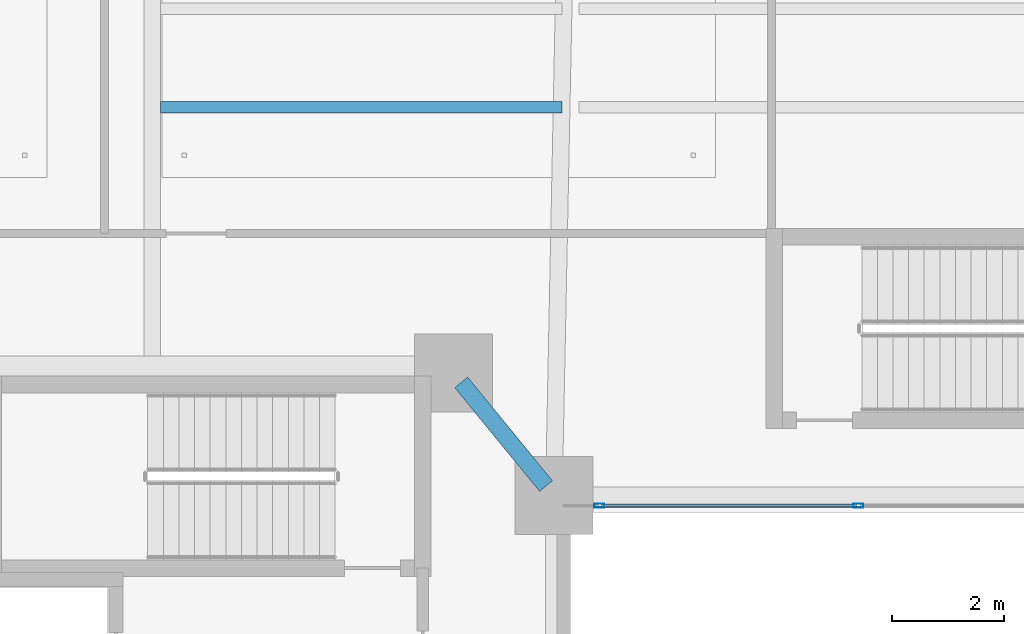
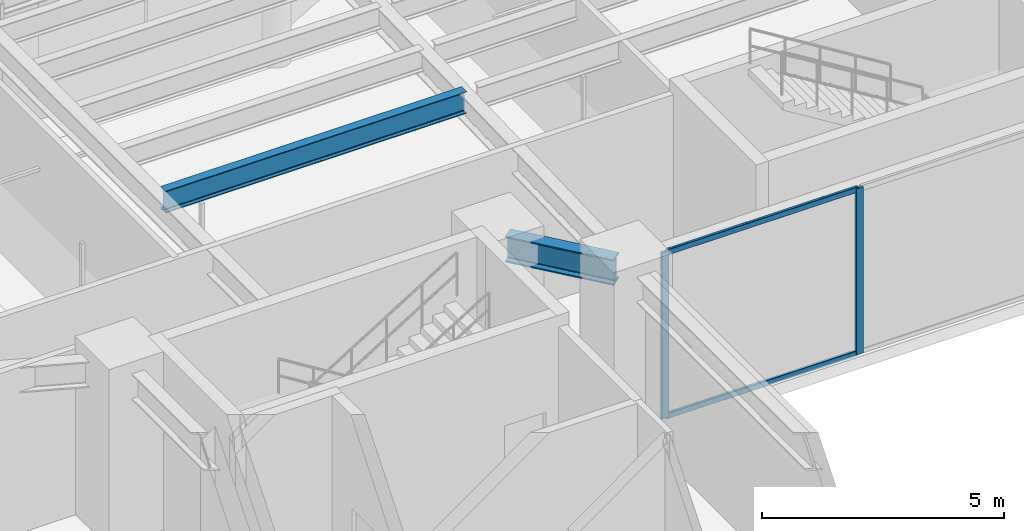
# One storey, part 20 of 40: 4 members, 2 beams, 1 element without a shape of its own.
"""IFC4 building model written with IfcOpenShell, lengths in metres."""

import ifcopenshell
import ifcopenshell.guid

model = None  # the IFC model being written
_history = None  # IfcOwnerHistory: only IFC2X3 demands one
_inside = {}  # id of a spatial element -> (the spatial element, [elements in it])
_under = {}  # id of a project, library or spatial element -> (it, [spatial elements below it])
_declared = {}  # id of a project -> (the project, [libraries it declares])
_typed = {}  # id of a type object -> (the type object, [elements of that type])
_made_of = {}  # id of a material, layer set ... -> (it, [elements and type objects made of it])


def new_model(schema):
    """Start an empty IFC model of exactly this schema.

    Asked for "IFC4X3", IfcOpenShell would pick the latest addendum, in which some entities
    have other attributes; the version numbers below select the first issue.
    IFC2X3 requires an IfcOwnerHistory on every rooted entity: one is made here for all.
    """
    global model, _history
    if schema == "IFC4X3":
        model = ifcopenshell.file(schema_version=(4, 3, 0, 0))
    else:
        model = ifcopenshell.file(schema=schema)
    _inside.clear()
    _under.clear()
    _declared.clear()
    _typed.clear()
    _made_of.clear()
    _history = None
    if model.schema == "IFC2X3":
        org = make("IfcOrganization", Name="unknown")
        user = make(
            "IfcPersonAndOrganization",
            ThePerson=make("IfcPerson", FamilyName="unknown"),
            TheOrganization=org,
        )
        app = make(
            "IfcApplication",
            ApplicationDeveloper=org,
            Version="unknown",
            ApplicationFullName="unknown",
            ApplicationIdentifier="unknown",
        )
        _history = make(
            "IfcOwnerHistory",
            OwningUser=user,
            OwningApplication=app,
            ChangeAction="ADDED",
            CreationDate=0,
        )
    return model


def make(cls, **values):
    """One entity of the class cls with the attributes given. An attribute that is None is left unset."""
    return model.create_entity(
        cls, **{name: value for name, value in values.items() if value is not None}
    )


def rooted(cls, **values):
    """An entity with a GlobalId (a new one), such as an element, a storey or a relation."""
    return make(cls, GlobalId=ifcopenshell.guid.new(), OwnerHistory=_history, **values)


def si_unit(unit_type, name, prefix=None):
    """IfcSIUnit, for example si_unit("LENGTHUNIT", "METRE", prefix="MILLI")."""
    return make("IfcSIUnit", UnitType=unit_type, Prefix=prefix, Name=name)


def assignment(units):
    """IfcUnitAssignment: the units of a project."""
    return None if units is None else make("IfcUnitAssignment", Units=units)


def point(xyz):
    """IfcCartesianPoint."""
    return None if xyz is None else make("IfcCartesianPoint", Coordinates=xyz)


def direction(xyz):
    """IfcDirection."""
    return None if xyz is None else make("IfcDirection", DirectionRatios=xyz)


def frame(location, z_axis=None, x_axis=None):
    """IfcAxis2Placement3D, a coordinate frame: its origin and axes. An axis left out is left unset."""
    return make(
        "IfcAxis2Placement3D",
        Location=point(location),
        Axis=direction(z_axis),
        RefDirection=direction(x_axis),
    )


def frame_2d(location, x_axis=None):
    """IfcAxis2Placement2D, a coordinate frame in the plane: its origin and x axis."""
    return make(
        "IfcAxis2Placement2D", Location=point(location), RefDirection=direction(x_axis)
    )


def origin():
    """The frame at (0, 0, 0) with its axes left unset."""
    return frame((0.0, 0.0, 0.0))


def origin_2d():
    """The frame at (0, 0) in the plane with its x axis left unset."""
    return frame_2d((0.0, 0.0))


def place(relative_to, where):
    """IfcLocalPlacement: puts the frame where relative to a parent placement (None: the world)."""
    return make(
        "IfcLocalPlacement", PlacementRelTo=relative_to, RelativePlacement=where
    )


def context(
    kind, dimensions, precision=None, world=None, true_north=None, identifier=None
):
    """IfcGeometricRepresentationContext, for example the 3D "Model" context."""
    return make(
        "IfcGeometricRepresentationContext",
        ContextIdentifier=identifier,
        ContextType=kind,
        CoordinateSpaceDimension=dimensions,
        Precision=precision,
        WorldCoordinateSystem=world,
        TrueNorth=true_north,
    )


def subcontext(parent, identifier, kind, view, scale=None):
    """IfcGeometricRepresentationSubContext, for example "Body" below "Model"."""
    return make(
        "IfcGeometricRepresentationSubContext",
        ContextIdentifier=identifier,
        ContextType=kind,
        ParentContext=parent,
        TargetScale=scale,
        TargetView=view,
    )


def project(units=None, contexts=None):
    """IfcProject with its units and contexts."""
    return rooted(
        "IfcProject",
        Name="project",
        RepresentationContexts=contexts,
        UnitsInContext=assignment(units),
    )


def spatial(cls, under=None, at=None, **own):
    """A site, building, storey or space (cls), placed at a placement, below another one or the project."""
    s = rooted(cls, ObjectPlacement=at, **own)
    if under is not None:
        _under.setdefault(under.id(), (under, []))[1].append(s)
    return s


def profile(cls, at=None, kind="AREA", **sizes):
    """A parametric profile (cls). Its sizes go by their IFC names, for example OverallWidth=200.0."""
    return make(cls, ProfileType=kind, Position=at, **sizes)


def hollow_rectangle(**sizes):
    """IfcRectangleHollowProfileDef."""
    return profile("IfcRectangleHollowProfileDef", **sizes)


def i_section(**sizes):
    """IfcIShapeProfileDef."""
    return profile("IfcIShapeProfileDef", **sizes)


def extrude(swept, where, along, depth):
    """IfcExtrudedAreaSolid: the profile swept, set in the frame where, extruded along a direction by depth."""
    return make(
        "IfcExtrudedAreaSolid",
        SweptArea=swept,
        Position=where,
        ExtrudedDirection=direction(along),
        Depth=depth,
    )


def shape(context_of_items, identifier, shape_type, items):
    """IfcShapeRepresentation: the items that make up one representation, for example the "Body"."""
    return make(
        "IfcShapeRepresentation",
        ContextOfItems=context_of_items,
        RepresentationIdentifier=identifier,
        RepresentationType=shape_type,
        Items=items,
    )


def material(Name=None, Category=None):
    """IfcMaterial."""
    return make("IfcMaterial", Name=Name, Category=Category)


def layer(
    of_material, thickness, ventilated=None, Name=None, Category=None, Priority=None
):
    """IfcMaterialLayer: one layer of a wall or slab, of a material (None: an air gap)."""
    return make(
        "IfcMaterialLayer",
        Material=of_material,
        LayerThickness=thickness,
        IsVentilated=ventilated,
        Name=Name,
        Category=Category,
        Priority=Priority,
    )


def layer_set(layers, Name=None):
    """IfcMaterialLayerSet."""
    return make("IfcMaterialLayerSet", MaterialLayers=layers, LayerSetName=Name)


def material_profile(
    of_material, cross_section, Name=None, Category=None, Priority=None
):
    """IfcMaterialProfile: a cross section and its material."""
    return make(
        "IfcMaterialProfile",
        Name=Name,
        Material=of_material,
        Profile=cross_section,
        Priority=Priority,
        Category=Category,
    )


def profile_set(profiles, Name=None, composite=None):
    """IfcMaterialProfileSet."""
    return make(
        "IfcMaterialProfileSet",
        Name=Name,
        MaterialProfiles=profiles,
        CompositeProfile=composite,
    )


def made_of(thing, what):
    """Note that an element or type object is made of a material, layer set ...; save() writes the relation."""
    if what is not None:
        _made_of.setdefault(what.id(), (what, []))[1].append(thing)
    return thing


def type_object(cls, material=None, **own):
    """A type object (cls), such as IfcWallType, which elements share."""
    return made_of(rooted(cls, **own), material)


def element(
    cls,
    number,
    at=None,
    inside=None,
    cuts=None,
    type_object=None,
    material=None,
    context=None,
    identifier="Body",
    shape_type=None,
    held_by="IfcProductDefinitionShape",
    body=None,
    shapes=None,
    **own,
):
    """One element of the class cls, such as IfcWall. Its Tag is "e" and its number.

    at: its placement. inside: the storey or other place that contains it. cuts: it is an
    opening in that element (IfcRelVoidsElement). A single representation is given by context,
    identifier, shape_type and body (its items); several are given by shapes. held_by: the class
    of the entity that holds the representations. save() writes the other relations.
    """
    e = rooted(cls, Tag="e%d" % number, ObjectPlacement=at, **own)
    if body is not None:
        shapes = [shape(context, identifier, shape_type, body)]
    if shapes is not None:
        e.Representation = make(held_by, Representations=shapes)
    if inside is not None:
        _inside.setdefault(inside.id(), (inside, []))[1].append(e)
    if cuts is not None:
        rooted(
            "IfcRelVoidsElement", RelatingBuildingElement=cuts, RelatedOpeningElement=e
        )
    if type_object is not None:
        _typed.setdefault(type_object.id(), (type_object, []))[1].append(e)
    return made_of(e, material)


def aggregate(whole, parts):
    """IfcRelAggregates: a whole, such as a stair, and the parts it consists of."""
    return rooted("IfcRelAggregates", RelatingObject=whole, RelatedObjects=parts)


def save(model, path):
    """Write the relations noted so far, then the file.

    IfcRelAggregates (storeys below a building ...), IfcRelContainedInSpatialStructure (elements
    in a storey), IfcRelDefinesByType, IfcRelAssociatesMaterial and IfcRelDeclares: one each for
    every whole, place, type object, material and project.
    """
    for whole, parts in _under.values():
        aggregate(whole, parts)
    for where, things in _inside.values():
        rooted(
            "IfcRelContainedInSpatialStructure",
            RelatedElements=things,
            RelatingStructure=where,
        )
    for kind, things in _typed.values():
        rooted("IfcRelDefinesByType", RelatedObjects=things, RelatingType=kind)
    for what, things in _made_of.values():
        rooted("IfcRelAssociatesMaterial", RelatedObjects=things, RelatingMaterial=what)
    for by, libraries in _declared.values():
        rooted("IfcRelDeclares", RelatingContext=by, RelatedDefinitions=libraries)
    model.write(path)


model = new_model("IFC4")

# Units and contexts
model_context = context("Model", 3, precision=1e-05, world=origin(), true_north=direction((0.0, 1.0)))
body_context = subcontext(model_context, "Body", "Model", "MODEL_VIEW")
ifc_project = project(units=[si_unit("LENGTHUNIT", "METRE"), si_unit("AREAUNIT", "SQUARE_METRE"), si_unit("VOLUMEUNIT", "CUBIC_METRE"), si_unit("PLANEANGLEUNIT", "RADIAN"), si_unit("MASSUNIT", "GRAM", prefix="KILO")], contexts=[model_context])

# Site, building, storey
site_placement = place(None, origin())
site = spatial("IfcSite", under=ifc_project, at=site_placement, CompositionType="ELEMENT")
building_placement = place(site_placement, origin())
building = spatial("IfcBuilding", under=site, at=building_placement, Name="Tarnavaz Court Tower", CompositionType="ELEMENT")
storey_placement = place(building_placement, frame((0.0, 0.0, 64.199951171875)))
storey = spatial("IfcBuildingStorey", under=building, at=storey_placement, Name="L17", CompositionType="ELEMENT", Elevation=64.199951171875)

# Beams
ifc_material_1 = material(Name="Steel S355", Category="steel")
ifc_material_profile_1 = material_profile(ifc_material_1, i_section(OverallWidth=0.300048828125, OverallDepth=0.64990234375, WebThickness=0.01611328125, FlangeThickness=0.031005859375, FilletRadius=0.027099609375, at=origin_2d()), Name="HEB 650")
ifc_profile_set_1 = profile_set([ifc_material_profile_1], Name="Steel S355")
beam_type_1 = type_object("IfcBeamType", Name="BM-G-HEB650", PredefinedType="USERDEFINED", material=ifc_profile_set_1)
beam_1_placement = place(storey_placement, frame((-9.460693359375, 9.82958984375, 3.875), z_axis=(0.633282058357, -0.773921077735, 0.0), x_axis=(0.773921077735, 0.633282058357, 0.0)))
element("IfcBeam", 1, at=beam_1_placement, inside=storey, type_object=beam_type_1, Name="L17 Beam IN-CW-NI-IW-NW", ObjectType="GIRDER", PredefinedType="USERDEFINED", context=body_context, shape_type="SweptSolid", body=[
    extrude(i_section(OverallWidth=0.300048828125, OverallDepth=0.64990234375, WebThickness=0.01611328125, FlangeThickness=0.031005859375, FilletRadius=0.027099609375, at=origin_2d()), origin(), (0.0, 0.0, 1.0), 2.402587890625),
])
ifc_material_profile_2 = material_profile(ifc_material_1, i_section(OverallWidth=0.2099609375, OverallDepth=0.550048828125, WebThickness=0.010986328125, FlangeThickness=0.01708984375, FilletRadius=0.02392578125, at=origin_2d()), Name="IPE 550")
ifc_profile_set_2 = profile_set([ifc_material_profile_2], Name="Steel S355")
beam_type_2 = type_object("IfcBeamType", Name="BM-J-IPE550", PredefinedType="JOIST", material=ifc_profile_set_2)
beam_2_placement = place(storey_placement, frame((-14.85009765625, 14.763916015625, 3.925048828125), z_axis=(1.0, 0.0, 0.0), x_axis=(0.0, 1.0, 0.0)))
element("IfcBeam", 2, at=beam_2_placement, inside=storey, type_object=beam_type_2, Name="L17 Beam JN1-1", PredefinedType="JOIST", context=body_context, shape_type="SweptSolid", body=[
    extrude(i_section(OverallWidth=0.2099609375, OverallDepth=0.550048828125, WebThickness=0.010986328125, FlangeThickness=0.01708984375, FilletRadius=0.02392578125, at=origin_2d()), origin(), (0.0, 0.0, 1.0), 7.2001953125),
])

# Curtain wall, members
ifc_material_2 = material(Name="Anodised Aluminium 6063-T6 and Solar Low-E Glazing", Category="aluminium")
ifc_layer = layer(ifc_material_2, 0.139892578125)
ifc_layer_set = layer_set([ifc_layer], Name="Anodised Aluminium 6063-T6 and Solar Low-E Glazing")
curtain_wall_type = type_object("IfcCurtainWallType", Name="CW-SYS-04", PredefinedType="NOTDEFINED", material=ifc_layer_set)
curtain_wall_placement = place(storey_placement, origin())
curtain_wall = element("IfcCurtainWall", 3, at=curtain_wall_placement, inside=storey, type_object=curtain_wall_type, Name="L17 Badgir Courtyard Curtain Wall N", PredefinedType="NOTDEFINED")
ifc_material_3 = material(Name="Anodised Aluminium 6063-T6", Category="aluminium")
ifc_material_profile_3 = material_profile(ifc_material_3, hollow_rectangle(XDim=0.074951171875, YDim=0.179931640625, WallThickness=0.0048828125, InnerFilletRadius=0.0048828125, OuterFilletRadius=0.010009765625, at=origin_2d()), Name="ALU RHS 180X75X5")
ifc_profile_set_3 = profile_set([ifc_material_profile_3], Name="Anodised Aluminium 6063-T6")
member_type_1 = type_object("IfcMemberType", Name="CW-MUL-180", PredefinedType="MULLION", material=ifc_profile_set_3)
member_1_placement = place(storey_placement, frame((-2.340087890625, 7.6201171875, 0.0), z_axis=(0.0, 0.0, 1.0), x_axis=(0.0, -1.0, 0.0)))
member_1 = element("IfcMember", 4, at=member_1_placement, type_object=member_type_1, Name="CW mullion 3", PredefinedType="MULLION", context=body_context, shape_type="SweptSolid", body=[
    extrude(hollow_rectangle(XDim=0.074951171875, YDim=0.179931640625, WallThickness=0.0048828125, InnerFilletRadius=0.0048828125, OuterFilletRadius=0.010009765625, at=origin_2d()), origin(), (0.0, 0.0, 1.0), 4.199951171875),
])
member_2_placement = place(storey_placement, frame((-6.982421875, 7.6201171875, 0.0), z_axis=(0.0, 0.0, 1.0), x_axis=(0.0, -1.0, 0.0)))
member_2 = element("IfcMember", 5, at=member_2_placement, type_object=member_type_1, Name="CW mullion 4", PredefinedType="MULLION", context=body_context, shape_type="SweptSolid", body=[
    extrude(hollow_rectangle(XDim=0.074951171875, YDim=0.179931640625, WallThickness=0.0048828125, InnerFilletRadius=0.0048828125, OuterFilletRadius=0.010009765625, at=origin_2d()), origin(), (0.0, 0.0, 1.0), 4.199951171875),
])
ifc_material_profile_4 = material_profile(ifc_material_3, hollow_rectangle(XDim=0.06494140625, YDim=0.139892578125, WallThickness=0.00390625, InnerFilletRadius=0.00390625, OuterFilletRadius=0.008056640625, at=origin_2d()), Name="ALU RHS 140X65X4")
ifc_profile_set_4 = profile_set([ifc_material_profile_4], Name="Anodised Aluminium 6063-T6")
member_type_2 = type_object("IfcMemberType", Name="CW-TRN-140", PredefinedType="USERDEFINED", material=ifc_profile_set_4)
member_3_placement = place(storey_placement, frame((-2.37744140625, 7.6201171875, 0.032470703125), z_axis=(-1.0, 0.0, 0.0), x_axis=(0.0, -1.0, 0.0)))
member_3 = element("IfcMember", 6, at=member_3_placement, type_object=member_type_2, Name="CW transom 3.1", ObjectType="TRANSOM", PredefinedType="USERDEFINED", context=body_context, shape_type="SweptSolid", body=[
    extrude(hollow_rectangle(XDim=0.06494140625, YDim=0.139892578125, WallThickness=0.00390625, InnerFilletRadius=0.00390625, OuterFilletRadius=0.008056640625, at=origin_2d()), origin(), (0.0, 0.0, 1.0), 4.567626953125),
])
member_4_placement = place(storey_placement, frame((-2.37744140625, 7.6201171875, 4.16748046875), z_axis=(-1.0, 0.0, 0.0), x_axis=(0.0, -1.0, 0.0)))
member_4 = element("IfcMember", 7, at=member_4_placement, type_object=member_type_2, Name="CW transom 3.2", ObjectType="TRANSOM", PredefinedType="USERDEFINED", context=body_context, shape_type="SweptSolid", body=[
    extrude(hollow_rectangle(XDim=0.06494140625, YDim=0.139892578125, WallThickness=0.00390625, InnerFilletRadius=0.00390625, OuterFilletRadius=0.008056640625, at=origin_2d()), origin(), (0.0, 0.0, 1.0), 4.567626953125),
])
aggregate(curtain_wall, [member_1, member_2, member_3, member_4])

save(model, "model.ifc")
